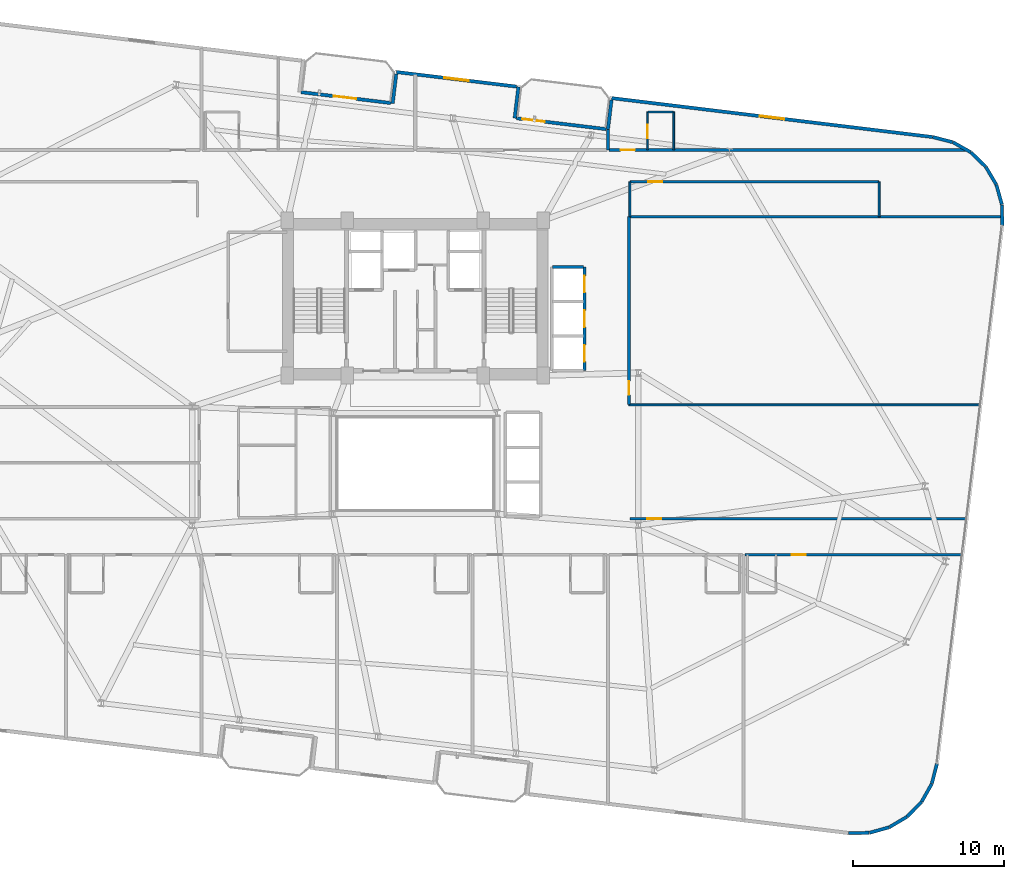
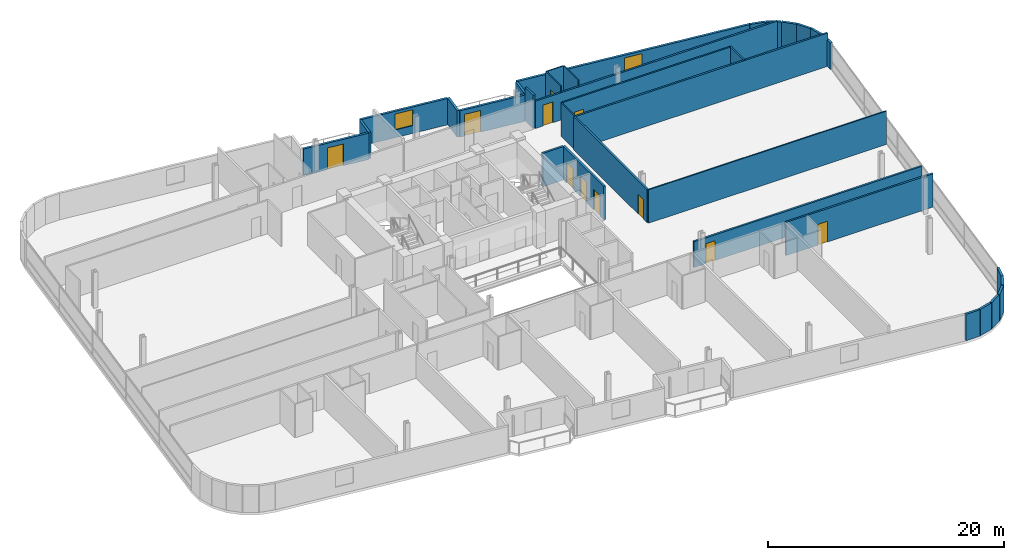
# One storey, part 23 of 26: 34 walls, 11 doors, 2 windows, 13 openings.
"""IFC4 building model written with IfcOpenShell, lengths in metres."""

from ifc_helpers import new_model, si_unit, direction, frame, frame_2d, origin, place, context, subcontext, project, spatial, rectangle, extrude, material, layer, layer_set, type_object, element, fill, save


model = new_model("IFC4")

# Units and contexts
model_context = context("Model", 3, precision=1e-05, world=origin(), true_north=direction((0.0, 1.0)))
body_context = subcontext(model_context, "Body", "Model", "MODEL_VIEW")
ifc_project = project(units=[si_unit("LENGTHUNIT", "METRE"), si_unit("AREAUNIT", "SQUARE_METRE"), si_unit("VOLUMEUNIT", "CUBIC_METRE"), si_unit("PLANEANGLEUNIT", "RADIAN"), si_unit("MASSUNIT", "GRAM", prefix="KILO")], contexts=[model_context])

# Site, building, storey
site_placement = place(None, origin())
site = spatial("IfcSite", under=ifc_project, at=site_placement, CompositionType="ELEMENT")
building_placement = place(site_placement, origin())
building = spatial("IfcBuilding", under=site, at=building_placement, Name="Varnelok Gate Tower", CompositionType="ELEMENT")
storey_placement = place(building_placement, frame((0.0, 0.0, 147.60009765625)))
storey = spatial("IfcBuildingStorey", under=building, at=storey_placement, Name="L37", CompositionType="ELEMENT", Elevation=147.60009765625)

# Wall, opening, door
ifc_material_1 = material(Name="Concrete C45/55", Category="concrete")
ifc_layer_1 = layer(ifc_material_1, 0.219970703125)
ifc_layer_set_1 = layer_set([ifc_layer_1], Name="Concrete C45/55")
wall_type_1 = type_object("IfcWallType", Name="EW-BALC-220", PredefinedType="SOLIDWALL", material=ifc_layer_set_1)
wall_1_placement = place(storey_placement, frame((31.624267578125, 47.5634765625, 0.0), z_axis=(0.0, 0.0, 1.0), x_axis=(0.992729951822, -0.120362962556, 0.0)))
wall_1 = element("IfcWall", 1, at=wall_1_placement, inside=storey, type_object=wall_type_1, Name="L37 North Terrace Envelope Wall 3", PredefinedType="SOLIDWALL", context=body_context, shape_type="SweptSolid", body=[
    extrude(rectangle(XDim=6.0, YDim=0.219970703125, at=frame_2d((3.0, 0.0))), origin(), (0.0, 0.0, 1.0), 2.72998046875),
])
opening_1_placement = place(wall_1_placement, frame((2.176025390625, 0.0, 0.0)))
opening_1 = element("IfcOpeningElement", 2, at=opening_1_placement, cuts=wall_1, Name="Opening BD-1", PredefinedType="OPENING", context=body_context, shape_type="SweptSolid", body=[
    extrude(rectangle(XDim=1.5, YDim=2.25, at=frame_2d((0.75, 1.125))), frame((0.0, 0.119873046875, 0.0), z_axis=(0.0, -1.0, 0.0), x_axis=(1.0, 0.0, 0.0)), (0.0, 0.0, 1.0), 0.239990234375),
])
ifc_material_2 = material(Name="Anodized Aluminum Alloy 6063-T6", Category="aluminium")
door_type_1 = type_object("IfcDoorType", Name="DR-EXT-BALC1500", OperationType="NOTDEFINED", PredefinedType="DOOR", material=ifc_material_2)
door_1_placement = place(opening_1_placement, origin())
door_1 = element("IfcDoor", 3, at=door_1_placement, inside=storey, type_object=door_type_1, Name="L37 North Balcony Glazed Door 3", OperationType="SINGLE_SWING_RIGHT", OverallHeight=2.25, OverallWidth=1.5, PredefinedType="DOOR", context=body_context, shape_type="SweptSolid", body=[
    extrude(rectangle(XDim=1.5, YDim=2.25, at=frame_2d((0.75, 1.125))), frame((0.0, 0.02490234375, 0.0), z_axis=(0.0, -1.0, 0.0), x_axis=(1.0, 0.0, 0.0)), (0.0, 0.0, 1.0), 0.050048828125),
])
fill(opening_1, door_1)

wall_2_placement = place(storey_placement, frame((45.919677734375, 45.83056640625, 0.0), z_axis=(0.0, 0.0, 1.0), x_axis=(0.992729951822, -0.120362962556, 0.0)))
wall_2 = element("IfcWall", 4, at=wall_2_placement, inside=storey, type_object=wall_type_1, Name="L37 North Terrace Envelope Wall 4", PredefinedType="SOLIDWALL", context=body_context, shape_type="SweptSolid", body=[
    extrude(rectangle(XDim=6.0, YDim=0.219970703125, at=frame_2d((3.0, 0.0))), origin(), (0.0, 0.0, 1.0), 2.72998046875),
])
opening_2_placement = place(wall_2_placement, frame((0.39990234375, 0.0, 0.0)))
opening_2 = element("IfcOpeningElement", 5, at=opening_2_placement, cuts=wall_2, Name="Opening BD-1", PredefinedType="OPENING", context=body_context, shape_type="SweptSolid", body=[
    extrude(rectangle(XDim=1.5, YDim=2.25, at=frame_2d((0.75, 1.125))), frame((0.0, 0.119873046875, 0.0), z_axis=(0.0, -1.0, 0.0), x_axis=(1.0, 0.0, 0.0)), (0.0, 0.0, 1.0), 0.239990234375),
])
door_2_placement = place(opening_2_placement, origin())
door_2 = element("IfcDoor", 6, at=door_2_placement, inside=storey, type_object=door_type_1, Name="L37 North Balcony Glazed Door 4", OperationType="SINGLE_SWING_LEFT", OverallHeight=2.25, OverallWidth=1.5, PredefinedType="DOOR", context=body_context, shape_type="SweptSolid", body=[
    extrude(rectangle(XDim=1.5, YDim=2.25, at=frame_2d((0.75, 1.125))), frame((0.0, 0.02490234375, 0.0), z_axis=(0.0, -1.0, 0.0), x_axis=(1.0, 0.0, 0.0)), (0.0, 0.0, 1.0), 0.050048828125),
])
fill(opening_2, door_2)

# Walls
wall_3_placement = place(storey_placement, frame((67.984375, -1.63671875, 0.0), z_axis=(0.0, 0.0, 1.0), x_axis=(0.999945887077, 0.010403024475, 0.0)))
element("IfcWall", 7, at=wall_3_placement, inside=storey, type_object=wall_type_1, Name="L37 Perimeter Facade Closure Wall 14", PredefinedType="SOLIDWALL", context=body_context, shape_type="SweptSolid", body=[
    extrude(rectangle(XDim=1.361083984375, YDim=0.219970703125, at=frame_2d((0.6806640625, 0.0))), origin(), (0.0, 0.0, 1.0), 2.72998046875),
])
wall_4_placement = place(storey_placement, frame((69.369384765625, -1.615966796875, 0.0), z_axis=(0.0, 0.0, 1.0), x_axis=(0.963194128812, 0.268806752562, 0.0)))
element("IfcWall", 8, at=wall_4_placement, inside=storey, type_object=wall_type_1, Name="L37 Perimeter Facade Closure Wall 15", PredefinedType="SOLIDWALL", context=body_context, shape_type="SweptSolid", body=[
    extrude(rectangle(XDim=1.353271484375, YDim=0.219970703125, at=frame_2d((0.6767578125, 0.0))), origin(), (0.0, 0.0, 1.0), 2.72998046875),
])
for number, where, z_axis, x_axis, name in (
    (9, (70.6943359375, -1.239501953125, 0.0), (0.0, 0.0, 1.0), (0.860865455241, 0.508832652228, 0.0), "L37 Perimeter Facade Closure Wall 16"),
    (10, (71.876708984375, -0.533203125, 0.0), (0.0, 0.0, 1.0), (0.69976104234, 0.714376989847, 0.0), "L37 Perimeter Facade Closure Wall 17"),
    (11, (72.835693359375, 0.455078125, 0.0), (0.0, 0.0, 1.0), (0.491117621399, 0.871093268227, 0.0), "L37 Perimeter Facade Closure Wall 18"),
):
    element("IfcWall", number, at=place(storey_placement, frame(where, z_axis=z_axis, x_axis=x_axis)), inside=storey, type_object=wall_type_1, Name=name, PredefinedType="SOLIDWALL", context=body_context, shape_type="SweptSolid", body=[
        extrude(rectangle(XDim=1.35302734375, YDim=0.219970703125, at=frame_2d((0.676513671875, 0.0))), origin(), (0.0, 0.0, 1.0), 2.72998046875),
    ])
wall_5_placement = place(storey_placement, frame((73.506591796875, 1.658203125, 0.0), z_axis=(0.0, 0.0, 1.0), x_axis=(0.248857256909, 0.968540172468, 0.0)))
element("IfcWall", 12, at=wall_5_placement, inside=storey, type_object=wall_type_1, Name="L37 Perimeter Facade Closure Wall 19", PredefinedType="SOLIDWALL", context=body_context, shape_type="SweptSolid", body=[
    extrude(rectangle(XDim=1.352783203125, YDim=0.219970703125, at=frame_2d((0.67626953125, 0.0))), origin(), (0.0, 0.0, 1.0), 2.72998046875),
])
wall_6_placement = place(storey_placement, frame((78.175537109375, 38.706787109375, 0.0), z_axis=(0.0, 0.0, 1.0), x_axis=(-0.010096916637, 0.999949024838, 0.0)))
element("IfcWall", 13, at=wall_6_placement, inside=storey, type_object=wall_type_1, Name="L37 Perimeter Facade Closure Wall 20", PredefinedType="SOLIDWALL", context=body_context, shape_type="SweptSolid", body=[
    extrude(rectangle(XDim=1.378173828125, YDim=0.219970703125, at=frame_2d((0.68896484375, 0.0))), origin(), (0.0, 0.0, 1.0), 2.72998046875),
])
wall_7_placement = place(storey_placement, frame((78.15478515625, 40.10888671875, 0.0), z_axis=(0.0, 0.0, 1.0), x_axis=(-0.268639368869, 0.963240826322, 0.0)))
element("IfcWall", 14, at=wall_7_placement, inside=storey, type_object=wall_type_1, Name="L37 Perimeter Facade Closure Wall 21", PredefinedType="SOLIDWALL", context=body_context, shape_type="SweptSolid", body=[
    extrude(rectangle(XDim=1.353271484375, YDim=0.219970703125, at=frame_2d((0.6767578125, 0.0))), origin(), (0.0, 0.0, 1.0), 2.72998046875),
])
for number, where, z_axis, x_axis, name in (
    (15, (77.7783203125, 41.433837890625, 0.0), (0.0, 0.0, 1.0), (-0.508698913794, 0.860944490142, 0.0), "L37 Perimeter Facade Closure Wall 22"),
    (16, (77.072265625, 42.6162109375, 0.0), (0.0, 0.0, 1.0), (-0.714376989847, 0.69976104234, 0.0), "L37 Perimeter Facade Closure Wall 23"),
    (17, (76.083740234375, 43.5751953125, 0.0), (0.0, 0.0, 1.0), (-0.871093268227, 0.491117621399, 0.0), "L37 Perimeter Facade Closure Wall 24"),
):
    element("IfcWall", number, at=place(storey_placement, frame(where, z_axis=z_axis, x_axis=x_axis)), inside=storey, type_object=wall_type_1, Name=name, PredefinedType="SOLIDWALL", context=body_context, shape_type="SweptSolid", body=[
        extrude(rectangle(XDim=1.35302734375, YDim=0.219970703125, at=frame_2d((0.676513671875, 0.0))), origin(), (0.0, 0.0, 1.0), 2.72998046875),
    ])
wall_8_placement = place(storey_placement, frame((74.880859375, 44.24609375, 0.0), z_axis=(0.0, 0.0, 1.0), x_axis=(-0.968549775063, 0.248819881091, 0.0)))
element("IfcWall", 18, at=wall_8_placement, inside=storey, type_object=wall_type_1, Name="L37 Perimeter Facade Closure Wall 25", PredefinedType="SOLIDWALL", context=body_context, shape_type="SweptSolid", body=[
    extrude(rectangle(XDim=1.36083984375, YDim=0.219970703125, at=frame_2d((0.680419921875, 0.0))), origin(), (0.0, 0.0, 1.0), 2.72998046875),
])

# Wall, opening, window
wall_9_placement = place(storey_placement, frame((73.537841796875, 44.587890625, 0.0), z_axis=(0.0, 0.0, 1.0), x_axis=(-0.992733493583, 0.120333747213, 0.0)))
wall_9 = element("IfcWall", 19, at=wall_9_placement, inside=storey, type_object=wall_type_1, Name="L37 Perimeter Facade Closure Wall 26", PredefinedType="SOLIDWALL", context=body_context, shape_type="SweptSolid", body=[
    extrude(rectangle(XDim=21.447021484375, YDim=0.219970703125, at=frame_2d((10.7236328125, 0.0))), origin(), (0.0, 0.0, 1.0), 2.72998046875),
])
opening_3_placement = place(wall_9_placement, frame((9.898681640625, 0.0, 0.800048828125)))
opening_3 = element("IfcOpeningElement", 20, at=opening_3_placement, cuts=wall_9, Name="Opening WN3", PredefinedType="OPENING", context=body_context, shape_type="SweptSolid", body=[
    extrude(rectangle(XDim=1.64990234375, YDim=1.64990234375, at=frame_2d((0.824951171875, 0.824951171875))), frame((0.0, 0.119873046875, 0.0), z_axis=(0.0, -1.0, 0.0), x_axis=(1.0, 0.0, 0.0)), (0.0, 0.0, 1.0), 0.239990234375),
])
ifc_material_3 = material(Name="Low-E Laminated Double Glazing IGU", Category="glass")
window_type = type_object("IfcWindowType", Name="WN-HTL-1650", PartitioningType="SINGLE_PANEL", PredefinedType="WINDOW", material=ifc_material_3)
window_1_placement = place(opening_3_placement, origin())
window_1 = element("IfcWindow", 21, at=window_1_placement, inside=storey, type_object=window_type, Name="L37 Perimeter Vision Window 26", OverallHeight=1.64990234375, OverallWidth=1.64990234375, PartitioningType="SINGLE_PANEL", PredefinedType="WINDOW", context=body_context, shape_type="SweptSolid", body=[
    extrude(rectangle(XDim=1.64990234375, YDim=1.64990234375, at=frame_2d((0.824951171875, 0.824951171875))), frame((0.0, 0.030029296875, 0.0), z_axis=(0.0, -1.0, 0.0), x_axis=(1.0, 0.0, 0.0)), (0.0, 0.0, 1.0), 0.06005859375),
])
fill(opening_3, window_1)

# Walls
wall_10_placement = place(storey_placement, frame((52.2314453125, 47.044677734375, 0.0), z_axis=(0.0, 0.0, 1.0), x_axis=(-0.120275992932, -0.992740492538, 0.0)))
element("IfcWall", 22, at=wall_10_placement, inside=storey, type_object=wall_type_1, Name="L37 Perimeter Facade Closure Wall 27", PredefinedType="SOLIDWALL", context=body_context, shape_type="SweptSolid", body=[
    extrude(rectangle(XDim=1.97509765625, YDim=0.219970703125, at=frame_2d((0.987548828125, 0.0))), origin(), (0.0, 0.0, 1.0), 2.72998046875),
])
wall_11_placement = place(storey_placement, frame((45.79931640625, 45.8349609375, 0.0), z_axis=(0.0, 0.0, 1.0), x_axis=(0.120314009587, 0.992735885871, 0.0)))
element("IfcWall", 23, at=wall_11_placement, inside=storey, type_object=wall_type_1, Name="L37 Perimeter Facade Closure Wall 28", PredefinedType="SOLIDWALL", context=body_context, shape_type="SweptSolid", body=[
    extrude(rectangle(XDim=2.10009765625, YDim=0.219970703125, at=frame_2d((1.050048828125, 0.0))), origin(), (0.0, 0.0, 1.0), 2.72998046875),
])

# Wall, opening, window
wall_12_placement = place(storey_placement, frame((45.927734375, 47.934814453125, 0.0), z_axis=(0.0, 0.0, 1.0), x_axis=(-0.992730591876, 0.120357683402, 0.0)))
wall_12 = element("IfcWall", 24, at=wall_12_placement, inside=storey, type_object=wall_type_1, Name="L37 Perimeter Facade Closure Wall 29", PredefinedType="SOLIDWALL", context=body_context, shape_type="SweptSolid", body=[
    extrude(rectangle(XDim=8.03466796875, YDim=0.219970703125, at=frame_2d((4.017333984375, 0.0))), origin(), (0.0, 0.0, 1.0), 2.72998046875),
])
opening_4_placement = place(wall_12_placement, frame((3.1923828125, 0.0, 0.800048828125)))
opening_4 = element("IfcOpeningElement", 25, at=opening_4_placement, cuts=wall_12, Name="Opening WN3", PredefinedType="OPENING", context=body_context, shape_type="SweptSolid", body=[
    extrude(rectangle(XDim=1.64990234375, YDim=1.64990234375, at=frame_2d((0.824951171875, 0.824951171875))), frame((0.0, 0.119873046875, 0.0), z_axis=(0.0, -1.0, 0.0), x_axis=(1.0, 0.0, 0.0)), (0.0, 0.0, 1.0), 0.239990234375),
])
window_2_placement = place(opening_4_placement, origin())
window_2 = element("IfcWindow", 26, at=window_2_placement, inside=storey, type_object=window_type, Name="L37 Perimeter Vision Window 29", OverallHeight=1.64990234375, OverallWidth=1.64990234375, PartitioningType="SINGLE_PANEL", PredefinedType="WINDOW", context=body_context, shape_type="SweptSolid", body=[
    extrude(rectangle(XDim=1.64990234375, YDim=1.64990234375, at=frame_2d((0.824951171875, 0.824951171875))), frame((0.0, 0.030029296875, 0.0), z_axis=(0.0, -1.0, 0.0), x_axis=(1.0, 0.0, 0.0)), (0.0, 0.0, 1.0), 0.06005859375),
])
fill(opening_4, window_2)

# Wall
wall_13_placement = place(storey_placement, frame((37.936279296875, 48.777587890625, 0.0), z_axis=(0.0, 0.0, 1.0), x_axis=(-0.120397815541, -0.992725725472, 0.0)))
element("IfcWall", 27, at=wall_13_placement, inside=storey, type_object=wall_type_1, Name="L37 Perimeter Facade Closure Wall 30", PredefinedType="SOLIDWALL", context=body_context, shape_type="SweptSolid", body=[
    extrude(rectangle(XDim=1.97509765625, YDim=0.219970703125, at=frame_2d((0.987548828125, 0.0))), origin(), (0.0, 0.0, 1.0), 2.72998046875),
])

# Wall, opening, door
ifc_material_4 = material(Name="Gypsum Plasterboard Acoustic Partition", Category="gypsum")
ifc_layer_2 = layer(ifc_material_4, 0.179931640625)
ifc_layer_set_2 = layer_set([ifc_layer_2], Name="Gypsum Plasterboard Acoustic Partition")
wall_type_2 = type_object("IfcWallType", Name="PW-CORR-180", PredefinedType="PARTITIONING", material=ifc_layer_set_2)
wall_14_placement = place(storey_placement, frame((61.080078125, 16.85009765625, 0.0), z_axis=(0.0, 0.0, 1.0), x_axis=(1.0, 0.0, 0.0)))
wall_14 = element("IfcWall", 28, at=wall_14_placement, inside=storey, type_object=wall_type_2, Name="Interior Partition", PredefinedType="PARTITIONING", context=body_context, shape_type="SweptSolid", body=[
    extrude(rectangle(XDim=14.38671875, YDim=0.179931640625, at=frame_2d((7.193359375, 0.0))), origin(), (0.0, 0.0, 1.0), 3.449951171875),
])
opening_5_placement = place(wall_14_placement, frame((3.110107421875, 0.0, 0.0)))
opening_5 = element("IfcOpeningElement", 29, at=opening_5_placement, cuts=wall_14, Name="Opening D-HT", PredefinedType="OPENING", context=body_context, shape_type="SweptSolid", body=[
    extrude(rectangle(XDim=0.949951171875, YDim=2.14990234375, at=frame_2d((0.47509765625, 1.074951171875))), frame((0.0, 0.099853515625, 0.0), z_axis=(0.0, -1.0, 0.0), x_axis=(1.0, 0.0, 0.0)), (0.0, 0.0, 1.0), 0.199951171875),
])
ifc_material_5 = material(Name="Engineered Hardwood Timber", Category="wood")
door_type_2 = type_object("IfcDoorType", Name="DR-HTL-950", OperationType="NOTDEFINED", PredefinedType="DOOR", material=ifc_material_5)
door_3_placement = place(opening_5_placement, origin())
door_3 = element("IfcDoor", 30, at=door_3_placement, inside=storey, type_object=door_type_2, Name="L37 Guest Room 07 Entrance Door", OperationType="SINGLE_SWING_RIGHT", OverallHeight=2.14990234375, OverallWidth=0.949951171875, PredefinedType="DOOR", context=body_context, shape_type="SweptSolid", body=[
    extrude(rectangle(XDim=0.949951171875, YDim=2.14990234375, at=frame_2d((0.47509765625, 1.074951171875))), frame((0.0, 0.02490234375, 0.0), z_axis=(0.0, -1.0, 0.0), x_axis=(1.0, 0.0, 0.0)), (0.0, 0.0, 1.0), 0.050048828125),
])
fill(opening_5, door_3)

wall_15_placement = place(storey_placement, frame((52.080078125, 43.72998046875, 0.0), z_axis=(0.0, 0.0, 1.0), x_axis=(1.0, 0.0, 0.0)))
wall_15 = element("IfcWall", 31, at=wall_15_placement, inside=storey, type_object=wall_type_2, Name="Interior Partition", PredefinedType="PARTITIONING", context=body_context, shape_type="SweptSolid", body=[
    extrude(rectangle(XDim=23.689208984375, YDim=0.179931640625, at=frame_2d((11.8447265625, 0.0))), origin(), (0.0, 0.0, 1.0), 2.823974609375),
])
opening_6_placement = place(wall_15_placement, frame((0.75634765625, 0.0, 0.0)))
opening_6 = element("IfcOpeningElement", 32, at=opening_6_placement, cuts=wall_15, Name="Opening D-HT", PredefinedType="OPENING", context=body_context, shape_type="SweptSolid", body=[
    extrude(rectangle(XDim=0.949951171875, YDim=2.14990234375, at=frame_2d((0.47509765625, 1.074951171875))), frame((0.0, 0.099853515625, 0.0), z_axis=(0.0, -1.0, 0.0), x_axis=(1.0, 0.0, 0.0)), (0.0, 0.0, 1.0), 0.199951171875),
])
door_4_placement = place(opening_6_placement, origin())
door_4 = element("IfcDoor", 33, at=door_4_placement, inside=storey, type_object=door_type_2, Name="L37 Guest Room 11 Entrance Door", OperationType="SINGLE_SWING_RIGHT", OverallHeight=2.14990234375, OverallWidth=0.949951171875, PredefinedType="DOOR", context=body_context, shape_type="SweptSolid", body=[
    extrude(rectangle(XDim=0.949951171875, YDim=2.14990234375, at=frame_2d((0.47509765625, 1.074951171875))), frame((0.0, 0.02490234375, 0.0), z_axis=(0.0, -1.0, 0.0), x_axis=(1.0, 0.0, 0.0)), (0.0, 0.0, 1.0), 0.050048828125),
])
fill(opening_6, door_4)

wall_16_placement = place(storey_placement, frame((53.449951171875, 19.239990234375, 0.0), z_axis=(0.0, 0.0, 1.0), x_axis=(1.0, 0.0, 0.0)))
wall_16 = element("IfcWall", 34, at=wall_16_placement, inside=storey, type_object=wall_type_2, Name="Interior Partition", PredefinedType="PARTITIONING", context=body_context, shape_type="SweptSolid", body=[
    extrude(rectangle(XDim=22.306640625, YDim=0.179931640625, at=frame_2d((11.1533203125, 0.0))), origin(), (0.0, 0.0, 1.0), 2.661865234375),
])
opening_7_placement = place(wall_16_placement, frame((1.14990234375, 0.0, 0.0)))
opening_7 = element("IfcOpeningElement", 35, at=opening_7_placement, cuts=wall_16, Name="Opening D-I3", PredefinedType="OPENING", context=body_context, shape_type="SweptSolid", body=[
    extrude(rectangle(XDim=0.919921875, YDim=2.050048828125, at=frame_2d((0.4599609375, 1.02490234375))), frame((0.0, 0.099853515625, 0.0), z_axis=(0.0, -1.0, 0.0), x_axis=(1.0, 0.0, 0.0)), (0.0, 0.0, 1.0), 0.199951171875),
])
door_type_3 = type_object("IfcDoorType", Name="DR-INT-920", OperationType="NOTDEFINED", PredefinedType="DOOR", material=ifc_material_5)
door_5_placement = place(opening_7_placement, origin())
door_5 = element("IfcDoor", 36, at=door_5_placement, inside=storey, type_object=door_type_3, Name="L37 East Studio Door", OperationType="SINGLE_SWING_LEFT", OverallHeight=2.050048828125, OverallWidth=0.919921875, PredefinedType="DOOR", context=body_context, shape_type="SweptSolid", body=[
    extrude(rectangle(XDim=0.919921875, YDim=2.050048828125, at=frame_2d((0.4599609375, 1.02490234375))), frame((0.0, 0.02490234375, 0.0), z_axis=(0.0, -1.0, 0.0), x_axis=(1.0, 0.0, 0.0)), (0.0, 0.0, 1.0), 0.050048828125),
])
fill(opening_7, door_5)

wall_17_placement = place(storey_placement, frame((53.389892578125, 26.840087890625, 0.0), z_axis=(0.0, 0.0, 1.0), x_axis=(0.0, 1.0, 0.0)))
wall_17 = element("IfcWall", 37, at=wall_17_placement, inside=storey, type_object=wall_type_2, Name="Interior Partition", PredefinedType="PARTITIONING", context=body_context, shape_type="SweptSolid", body=[
    extrude(rectangle(XDim=12.4599609375, YDim=0.179931640625, at=frame_2d((6.22998046875, 0.0))), origin(), (0.0, 0.0, 1.0), 3.449951171875),
])
opening_8_placement = place(wall_17_placement, frame((0.6181640625, 0.0, 0.0)))
opening_8 = element("IfcOpeningElement", 38, at=opening_8_placement, cuts=wall_17, Name="Opening D-I3", PredefinedType="OPENING", context=body_context, shape_type="SweptSolid", body=[
    extrude(rectangle(XDim=0.919921875, YDim=2.050048828125, at=frame_2d((0.4599609375, 1.02490234375))), frame((0.0, 0.099853515625, 0.0), z_axis=(0.0, -1.0, 0.0), x_axis=(1.0, 0.0, 0.0)), (0.0, 0.0, 1.0), 0.199951171875),
])
door_6_placement = place(opening_8_placement, origin())
door_6 = element("IfcDoor", 39, at=door_6_placement, inside=storey, type_object=door_type_3, Name="L37 East Playroom Door", OperationType="SINGLE_SWING_LEFT", OverallHeight=2.050048828125, OverallWidth=0.919921875, PredefinedType="DOOR", context=body_context, shape_type="SweptSolid", body=[
    extrude(rectangle(XDim=0.919921875, YDim=2.050048828125, at=frame_2d((0.4599609375, 1.02490234375))), frame((0.0, 0.02490234375, 0.0), z_axis=(0.0, -1.0, 0.0), x_axis=(1.0, 0.0, 0.0)), (0.0, 0.0, 1.0), 0.050048828125),
])
fill(opening_8, door_6)

# Walls
wall_18_placement = place(storey_placement, frame((53.389892578125, 39.300048828125, 0.0), z_axis=(0.0, 0.0, 1.0), x_axis=(1.0, 0.0, 0.0)))
element("IfcWall", 40, at=wall_18_placement, inside=storey, type_object=wall_type_2, Name="Interior Partition", PredefinedType="PARTITIONING", context=body_context, shape_type="SweptSolid", body=[
    extrude(rectangle(XDim=24.73974609375, YDim=0.179931640625, at=frame_2d((12.369873046875, 0.0))), origin(), (0.0, 0.0, 1.0), 3.449951171875),
])
ifc_layer_3 = layer(ifc_material_4, 0.114990234375)
ifc_layer_set_3 = layer_set([ifc_layer_3], Name="Gypsum Plasterboard Acoustic Partition")
wall_type_3 = type_object("IfcWallType", Name="PW-ENS-125", PredefinedType="PARTITIONING", material=ifc_layer_set_3)
wall_19_placement = place(storey_placement, frame((54.669921875, 46.25, 0.0), z_axis=(0.0, 0.0, 1.0), x_axis=(1.0, 0.0, 0.0)))
element("IfcWall", 41, at=wall_19_placement, inside=storey, type_object=wall_type_3, Name="Interior Partition", PredefinedType="PARTITIONING", context=body_context, shape_type="SweptSolid", body=[
    extrude(rectangle(XDim=1.650146484375, YDim=0.114990234375, at=frame_2d((0.8251953125, 0.0))), origin(), (0.0, 0.0, 1.0), 3.449951171875),
])

# Wall, opening, door
wall_20_placement = place(storey_placement, frame((54.6298828125, 43.72998046875, 0.0), z_axis=(0.0, 0.0, 1.0), x_axis=(0.0, 1.0, 0.0)))
wall_20 = element("IfcWall", 42, at=wall_20_placement, inside=storey, type_object=wall_type_3, Name="Interior Partition", PredefinedType="PARTITIONING", context=body_context, shape_type="SweptSolid", body=[
    extrude(rectangle(XDim=2.52001953125, YDim=0.114990234375, at=frame_2d((1.260009765625, 0.0))), origin(), (0.0, 0.0, 1.0), 3.449951171875),
])
opening_9_placement = place(wall_20_placement, frame((0.760009765625, 0.0, 0.0)))
opening_9 = element("IfcOpeningElement", 43, at=opening_9_placement, cuts=wall_20, Name="Opening D-WC", PredefinedType="OPENING", context=body_context, shape_type="SweptSolid", body=[
    extrude(rectangle(XDim=0.89990234375, YDim=2.050048828125, at=frame_2d((0.449951171875, 1.02490234375))), frame((0.0, 0.0673828125, 0.0), z_axis=(0.0, -1.0, 0.0), x_axis=(1.0, 0.0, 0.0)), (0.0, 0.0, 1.0), 0.135009765625),
])
door_type_4 = type_object("IfcDoorType", Name="DR-BATH-900", OperationType="NOTDEFINED", PredefinedType="DOOR", material=ifc_material_5)
door_7_placement = place(opening_9_placement, origin())
door_7 = element("IfcDoor", 44, at=door_7_placement, inside=storey, type_object=door_type_4, Name="L37 North En-Suite 11 Door", OperationType="SINGLE_SWING_LEFT", OverallHeight=2.050048828125, OverallWidth=0.89990234375, PredefinedType="DOOR", context=body_context, shape_type="SweptSolid", body=[
    extrude(rectangle(XDim=0.89990234375, YDim=2.050048828125, at=frame_2d((0.449951171875, 1.02490234375))), frame((0.0, 0.02490234375, 0.0), z_axis=(0.0, -1.0, 0.0), x_axis=(1.0, 0.0, 0.0)), (0.0, 0.0, 1.0), 0.050048828125),
])
fill(opening_9, door_7)

# Walls
wall_21_placement = place(storey_placement, frame((56.360107421875, 43.72998046875, 0.0), z_axis=(0.0, 0.0, 1.0), x_axis=(0.0, 1.0, 0.0)))
element("IfcWall", 45, at=wall_21_placement, inside=storey, type_object=wall_type_3, Name="Interior Partition", PredefinedType="PARTITIONING", context=body_context, shape_type="SweptSolid", body=[
    extrude(rectangle(XDim=2.52001953125, YDim=0.114990234375, at=frame_2d((1.260009765625, 0.0))), origin(), (0.0, 0.0, 1.0), 3.449951171875),
])
ifc_layer_4 = layer(ifc_material_4, 0.125)
ifc_layer_set_4 = layer_set([ifc_layer_4], Name="Gypsum Plasterboard Acoustic Partition")
wall_type_4 = type_object("IfcWallType", Name="PW-PART-125", PredefinedType="PARTITIONING", material=ifc_layer_set_4)
for number, where, z_axis, x_axis, name in (
    (46, (53.449951171875, 39.300048828125, 0.0), (0.0, 0.0, 1.0), (0.0, 1.0, 0.0), "Interior Partition"),
    (47, (70.0, 39.300048828125, 0.0), (0.0, 0.0, 1.0), (0.0, 1.0, 0.0), "Interior Partition"),
):
    element("IfcWall", number, at=place(storey_placement, frame(where, z_axis=z_axis, x_axis=x_axis)), inside=storey, type_object=wall_type_4, Name=name, PredefinedType="PARTITIONING", context=body_context, shape_type="SweptSolid", body=[
        extrude(rectangle(XDim=2.31005859375, YDim=0.125, at=frame_2d((1.155029296875, 0.0))), origin(), (0.0, 0.0, 1.0), 3.449951171875),
    ])
wall_22_placement = place(storey_placement, frame((53.389892578125, 26.800048828125, 0.0), z_axis=(0.0, 0.0, 1.0), x_axis=(1.0, 0.0, 0.0)))
element("IfcWall", 48, at=wall_22_placement, inside=storey, type_object=wall_type_4, Name="Interior Partition", PredefinedType="PARTITIONING", context=body_context, shape_type="SweptSolid", body=[
    extrude(rectangle(XDim=23.283203125, YDim=0.125, at=frame_2d((11.6416015625, 0.0))), origin(), (0.0, 0.0, 1.0), 3.449951171875),
])

# Wall, opening, door
ifc_layer_5 = layer(ifc_material_4, 0.14990234375)
ifc_layer_set_5 = layer_set([ifc_layer_5], Name="Gypsum Plasterboard Acoustic Partition")
wall_type_5 = type_object("IfcWallType", Name="PW-PART-150", PredefinedType="PARTITIONING", material=ifc_layer_set_5)
wall_23_placement = place(storey_placement, frame((53.449951171875, 41.610107421875, 0.0), z_axis=(0.0, 0.0, 1.0), x_axis=(1.0, 0.0, 0.0)))
wall_23 = element("IfcWall", 49, at=wall_23_placement, inside=storey, type_object=wall_type_5, Name="Interior Partition", PredefinedType="PARTITIONING", context=body_context, shape_type="SweptSolid", body=[
    extrude(rectangle(XDim=16.550048828125, YDim=0.14990234375, at=frame_2d((8.27490234375, 0.0))), origin(), (0.0, 0.0, 1.0), 3.449951171875),
])
opening_10_placement = place(wall_23_placement, frame((1.219970703125, 0.0, 0.0)))
opening_10 = element("IfcOpeningElement", 50, at=opening_10_placement, cuts=wall_23, Name="Opening D-I3", PredefinedType="OPENING", context=body_context, shape_type="SweptSolid", body=[
    extrude(rectangle(XDim=0.919921875, YDim=2.050048828125, at=frame_2d((0.4599609375, 1.02490234375))), frame((0.0, 0.0849609375, 0.0), z_axis=(0.0, -1.0, 0.0), x_axis=(1.0, 0.0, 0.0)), (0.0, 0.0, 1.0), 0.169921875),
])
door_8_placement = place(opening_10_placement, origin())
door_8 = element("IfcDoor", 51, at=door_8_placement, inside=storey, type_object=door_type_3, Name="L37 North Study 2 Door", OperationType="SINGLE_SWING_RIGHT", OverallHeight=2.050048828125, OverallWidth=0.919921875, PredefinedType="DOOR", context=body_context, shape_type="SweptSolid", body=[
    extrude(rectangle(XDim=0.919921875, YDim=2.050048828125, at=frame_2d((0.4599609375, 1.02490234375))), frame((0.0, 0.02490234375, 0.0), z_axis=(0.0, -1.0, 0.0), x_axis=(1.0, 0.0, 0.0)), (0.0, 0.0, 1.0), 0.050048828125),
])
fill(opening_10, door_8)

# Walls
ifc_layer_6 = layer(ifc_material_4, 0.205078125)
ifc_layer_set_6 = layer_set([ifc_layer_6], Name="Gypsum Plasterboard Acoustic Partition")
wall_type_6 = type_object("IfcWallType", Name="PW-PARTY-200", PredefinedType="PARTITIONING", material=ifc_layer_set_6)
wall_24_placement = place(storey_placement, frame((52.0, 43.72998046875, 0.0), z_axis=(0.0, 0.0, 1.0), x_axis=(0.0, 1.0, 0.0)))
element("IfcWall", 52, at=wall_24_placement, inside=storey, type_object=wall_type_6, Name="L37 North Party Wall 3", PredefinedType="PARTITIONING", context=body_context, shape_type="SweptSolid", body=[
    extrude(rectangle(XDim=1.353515625, YDim=0.205078125, at=frame_2d((0.6767578125, 0.0))), origin(), (0.0, 0.0, 1.0), 3.449951171875),
])
ifc_material_6 = material(Name="Concrete C35/45", Category="concrete")
ifc_layer_7 = layer(ifc_material_6, 0.199951171875)
ifc_layer_set_7 = layer_set([ifc_layer_7], Name="Concrete C35/45")
wall_type_7 = type_object("IfcWallType", Name="PW-SHAFT-200", PredefinedType="PARTITIONING", material=ifc_layer_set_7)
wall_25_placement = place(storey_placement, frame((48.320068359375, 35.969970703125, 0.0), z_axis=(0.0, 0.0, 1.0), x_axis=(1.0, 0.0, 0.0)))
element("IfcWall", 53, at=wall_25_placement, inside=storey, type_object=wall_type_7, Name="L37 PM Bank North Wall", PredefinedType="PARTITIONING", context=body_context, shape_type="SweptSolid", body=[
    extrude(rectangle(XDim=2.059814453125, YDim=0.199951171875, at=frame_2d((1.02978515625, 0.0))), origin(), (0.0, 0.0, 1.0), 3.449951171875),
])

# Wall, openings, doors
wall_26_placement = place(storey_placement, frame((50.43994140625, 29.080078125, 0.0), z_axis=(0.0, 0.0, 1.0), x_axis=(0.0, 1.0, 0.0)))
wall_26 = element("IfcWall", 54, at=wall_26_placement, inside=storey, type_object=wall_type_7, Name="L37 PM Bank Front Wall", PredefinedType="PARTITIONING", context=body_context, shape_type="SweptSolid", body=[
    extrude(rectangle(XDim=6.889892578125, YDim=0.199951171875, at=frame_2d((3.44482421875, 0.0))), origin(), (0.0, 0.0, 1.0), 3.449951171875),
])
opening_11_placement = place(wall_26_placement, frame((0.590087890625, 0.0, 0.0)))
opening_11 = element("IfcOpeningElement", 55, at=opening_11_placement, cuts=wall_26, Name="Opening LD-PM1", PredefinedType="OPENING", context=body_context, shape_type="SweptSolid", body=[
    extrude(rectangle(XDim=1.10009765625, YDim=2.14990234375, at=frame_2d((0.550048828125, 1.074951171875))), frame((0.0, 0.10986328125, 0.0), z_axis=(0.0, -1.0, 0.0), x_axis=(1.0, 0.0, 0.0)), (0.0, 0.0, 1.0), 0.219970703125),
])
opening_12_placement = place(wall_26_placement, frame((2.889892578125, 0.0, 0.0)))
opening_12 = element("IfcOpeningElement", 56, at=opening_12_placement, cuts=wall_26, Name="Opening LD-PM2", PredefinedType="OPENING", context=body_context, shape_type="SweptSolid", body=[
    extrude(rectangle(XDim=1.10009765625, YDim=2.14990234375, at=frame_2d((0.550048828125, 1.074951171875))), frame((0.0, 0.10986328125, 0.0), z_axis=(0.0, -1.0, 0.0), x_axis=(1.0, 0.0, 0.0)), (0.0, 0.0, 1.0), 0.219970703125),
])
opening_13_placement = place(wall_26_placement, frame((5.18994140625, 0.0, 0.0)))
opening_13 = element("IfcOpeningElement", 57, at=opening_13_placement, cuts=wall_26, Name="Opening LD-PM3", PredefinedType="OPENING", context=body_context, shape_type="SweptSolid", body=[
    extrude(rectangle(XDim=1.10009765625, YDim=2.14990234375, at=frame_2d((0.550048828125, 1.074951171875))), frame((0.0, 0.10986328125, 0.0), z_axis=(0.0, -1.0, 0.0), x_axis=(1.0, 0.0, 0.0)), (0.0, 0.0, 1.0), 0.219970703125),
])
ifc_material_7 = material(Name="Galvanized Steel Grade S350GD", Category="steel")
door_type_5 = type_object("IfcDoorType", Name="DR-LIFT-PAX1100", OperationType="SLIDING_TO_LEFT", PredefinedType="DOOR", material=ifc_material_7)
door_9_placement = place(opening_11_placement, origin())
door_9 = element("IfcDoor", 58, at=door_9_placement, inside=storey, type_object=door_type_5, Name="L37 Passenger Lift Landing Door LD-PM1", OperationType="SLIDING_TO_LEFT", OverallHeight=2.14990234375, OverallWidth=1.10009765625, PredefinedType="DOOR", context=body_context, shape_type="SweptSolid", body=[
    extrude(rectangle(XDim=1.10009765625, YDim=2.14990234375, at=frame_2d((0.550048828125, 1.074951171875))), frame((0.0, 0.02490234375, 0.0), z_axis=(0.0, -1.0, 0.0), x_axis=(1.0, 0.0, 0.0)), (0.0, 0.0, 1.0), 0.050048828125),
])
fill(opening_11, door_9)
door_10_placement = place(opening_12_placement, origin())
door_10 = element("IfcDoor", 59, at=door_10_placement, inside=storey, type_object=door_type_5, Name="L37 Passenger Lift Landing Door LD-PM2", OperationType="SLIDING_TO_LEFT", OverallHeight=2.14990234375, OverallWidth=1.10009765625, PredefinedType="DOOR", context=body_context, shape_type="SweptSolid", body=[
    extrude(rectangle(XDim=1.10009765625, YDim=2.14990234375, at=frame_2d((0.550048828125, 1.074951171875))), frame((0.0, 0.02490234375, 0.0), z_axis=(0.0, -1.0, 0.0), x_axis=(1.0, 0.0, 0.0)), (0.0, 0.0, 1.0), 0.050048828125),
])
fill(opening_12, door_10)
door_11_placement = place(opening_13_placement, origin())
door_11 = element("IfcDoor", 60, at=door_11_placement, inside=storey, type_object=door_type_5, Name="L37 Passenger Lift Landing Door LD-PM3", OperationType="SLIDING_TO_LEFT", OverallHeight=2.14990234375, OverallWidth=1.10009765625, PredefinedType="DOOR", context=body_context, shape_type="SweptSolid", body=[
    extrude(rectangle(XDim=1.10009765625, YDim=2.14990234375, at=frame_2d((0.550048828125, 1.074951171875))), frame((0.0, 0.02490234375, 0.0), z_axis=(0.0, -1.0, 0.0), x_axis=(1.0, 0.0, 0.0)), (0.0, 0.0, 1.0), 0.050048828125),
])
fill(opening_13, door_11)

save(model, "model.ifc")
